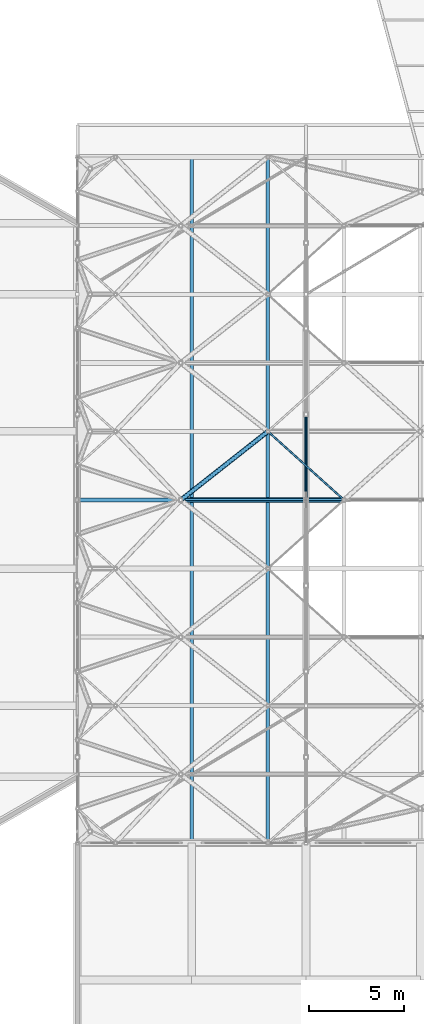
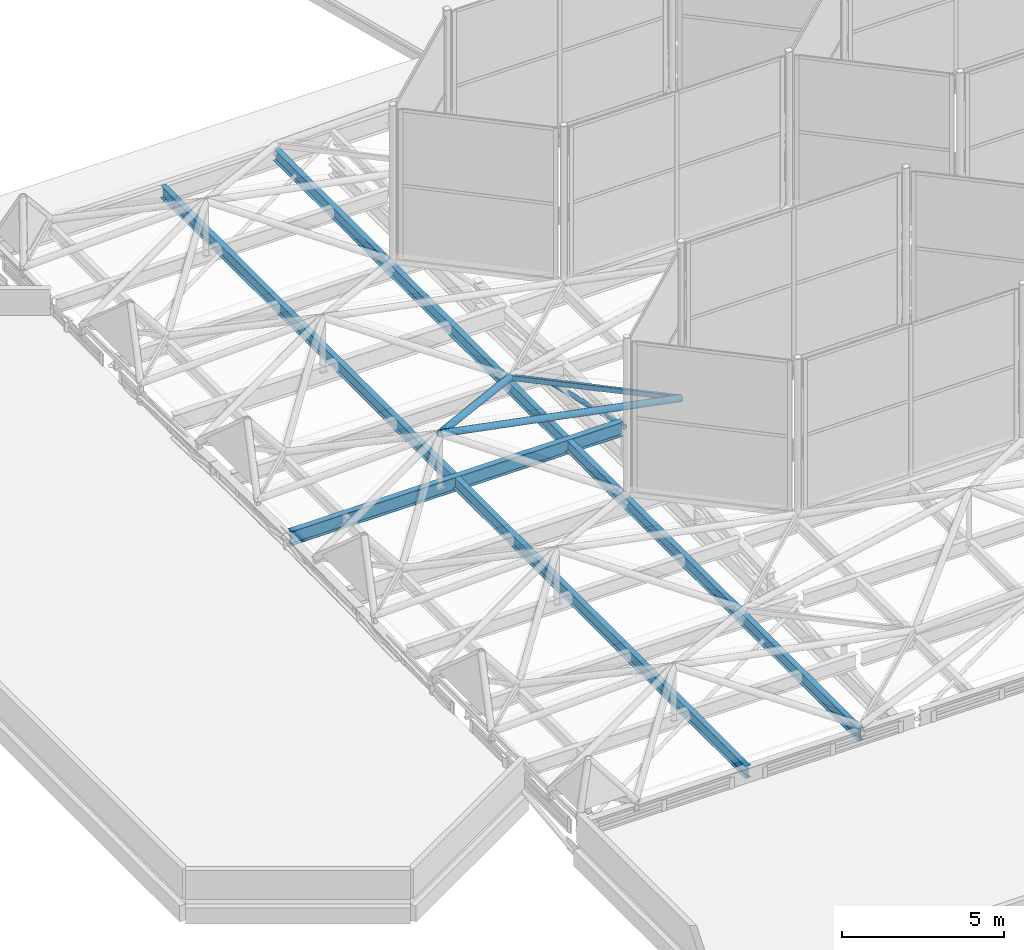
# One storey, part 57 of 239: 4 beams, 3 members.
"""IFC4 building model written with IfcOpenShell, lengths in metres."""

from ifc_helpers import new_model, si_unit, direction, frame, origin, origin_2d, place, context, subcontext, project, spatial, hollow_rectangle, hollow_circle, i_section, extrude, material, material_profile, profile_set, type_object, element, save


model = new_model("IFC4")

# Units and contexts
model_context = context("Model", 3, precision=1e-05, world=origin(), true_north=direction((0.0, 1.0)))
body_context = subcontext(model_context, "Body", "Model", "MODEL_VIEW")
ifc_project = project(units=[si_unit("LENGTHUNIT", "METRE"), si_unit("AREAUNIT", "SQUARE_METRE"), si_unit("VOLUMEUNIT", "CUBIC_METRE"), si_unit("PLANEANGLEUNIT", "RADIAN"), si_unit("MASSUNIT", "GRAM", prefix="KILO")], contexts=[model_context])

# Site, building, storey
site_placement = place(None, origin())
site = spatial("IfcSite", under=ifc_project, at=site_placement, CompositionType="ELEMENT")
building_placement = place(site_placement, origin())
building = spatial("IfcBuilding", under=site, at=building_placement, Name="Dunvalen Ferry Terminal", CompositionType="ELEMENT")
storey_placement = place(building_placement, frame((0.0, 0.0, 9.840087890625)))
storey = spatial("IfcBuildingStorey", under=building, at=storey_placement, Name="L02", CompositionType="ELEMENT", Elevation=9.840087890625)

# Beams
ifc_material = material(Name="Steel S355", Category="steel")
ifc_material_profile_1 = material_profile(ifc_material, hollow_rectangle(XDim=0.10009765625, YDim=0.199951171875, WallThickness=0.008056640625, InnerFilletRadius=0.008056640625, OuterFilletRadius=0.01611328125, at=origin_2d()), Name="Steel S355")
ifc_profile_set_1 = profile_set([ifc_material_profile_1], Name="Steel S355")
beam_type_1 = type_object("IfcBeamType", Name="STR-BM-RHS200", PredefinedType="BEAM", material=ifc_profile_set_1)
beam_1_placement = place(storey_placement, frame((26.0, 68.39990234375, 1.099853515625), z_axis=(-0.743285123004, 0.668974757313, 0.0), x_axis=(-0.668974757313, -0.743285123004, 0.0)))
element("IfcBeam", 1, at=beam_1_placement, inside=storey, type_object=beam_type_1, Name="HEX-09 Hexagonal Rim Beam 5", PredefinedType="BEAM", context=body_context, shape_type="SweptSolid", body=[
    extrude(hollow_rectangle(XDim=0.10009765625, YDim=0.199951171875, WallThickness=0.008056640625, InnerFilletRadius=0.008056640625, OuterFilletRadius=0.01611328125, at=origin_2d()), origin(), (0.0, 0.0, 1.0), 5.381591796875),
])
ifc_material_profile_2 = material_profile(ifc_material, i_section(OverallWidth=0.1904296875, OverallDepth=0.45703125, WebThickness=0.009033203125, FlangeThickness=0.014404296875, FilletRadius=0.01025390625, at=origin_2d()), Name="Steel S355")
ifc_profile_set_2 = profile_set([ifc_material_profile_2], Name="Steel S355")
beam_type_2 = type_object("IfcBeamType", Name="STR-BM-UKB457", PredefinedType="BEAM", material=ifc_profile_set_2)
for number, where, z_axis, x_axis, name in (
    (2, (18.0, 50.39990234375, 0.771484375), (0.0, 1.0, 0.0), (-1.0, 0.0, 0.0), "Departure Hall Hex-Grid Cross Beam B1.2"),
    (3, (22.0, 50.39990234375, 0.771484375), (0.0, 1.0, 0.0), (-1.0, 0.0, 0.0), "Departure Hall Hex-Grid Cross Beam B1.3"),
):
    element("IfcBeam", number, at=place(storey_placement, frame(where, z_axis=z_axis, x_axis=x_axis)), inside=storey, type_object=beam_type_2, Name=name, PredefinedType="BEAM", context=body_context, shape_type="SweptSolid", body=[
        extrude(i_section(OverallWidth=0.1904296875, OverallDepth=0.45703125, WebThickness=0.009033203125, FlangeThickness=0.014404296875, FilletRadius=0.01025390625, at=origin_2d()), origin(), (0.0, 0.0, 1.0), 36.0),
    ])
ifc_material_profile_3 = material_profile(ifc_material, i_section(OverallWidth=0.209228515625, OverallDepth=0.533203125, WebThickness=0.010009765625, FlangeThickness=0.015625, FilletRadius=0.0126953125, at=origin_2d()), Name="Steel S355")
ifc_profile_set_3 = profile_set([ifc_material_profile_3], Name="Steel S355")
beam_type_3 = type_object("IfcBeamType", Name="STR-BM-UKB533", PredefinedType="BEAM", material=ifc_profile_set_3)
beam_2_placement = place(storey_placement, frame((12.10009765625, 68.39990234375, 0.7333984375), z_axis=(1.0, 0.0, 0.0), x_axis=(0.0, 1.0, 0.0)))
element("IfcBeam", 4, at=beam_2_placement, inside=storey, type_object=beam_type_3, Name="Departure Hall Spine Girder B1.06", PredefinedType="BEAM", context=body_context, shape_type="SweptSolid", body=[
    extrude(i_section(OverallWidth=0.209228515625, OverallDepth=0.533203125, WebThickness=0.010009765625, FlangeThickness=0.015625, FilletRadius=0.0126953125, at=origin_2d()), origin(), (0.0, 0.0, 1.0), 11.7998046875),
])

# Members
ifc_material_profile_4 = material_profile(ifc_material, hollow_circle(Radius=0.084228515625, WallThickness=0.008056640625, at=origin_2d()), Name="Steel S355")
ifc_profile_set_4 = profile_set([ifc_material_profile_4], Name="Steel S355")
member_type_1 = type_object("IfcMemberType", Name="STR-MB-CHS168", PredefinedType="BRACE", material=ifc_profile_set_4)
member_1_placement = place(storey_placement, frame((24.0, 68.39990234375, 0.719970703125), z_axis=(0.0, 0.972383470914, -0.233388914677), x_axis=(-1.0, 0.0, 0.0)))
element("IfcMember", 5, at=member_1_placement, inside=storey, type_object=member_type_1, Name="Departure Hall Arch Web Diagonal 02.5", PredefinedType="BRACE", context=body_context, shape_type="SweptSolid", body=[
    extrude(hollow_circle(Radius=0.084228515625, WallThickness=0.008056640625, at=origin_2d()), origin(), (0.0, 0.0, 1.0), 4.627685546875),
])
ifc_material_profile_5 = material_profile(ifc_material, hollow_circle(Radius=0.122314453125, WallThickness=0.010009765625, at=origin_2d()), Name="Steel S355")
ifc_profile_set_5 = profile_set([ifc_material_profile_5], Name="Steel S355")
member_type_2 = type_object("IfcMemberType", Name="STR-MB-CHS244", PredefinedType="STRUT", material=ifc_profile_set_5)
member_2_placement = place(storey_placement, frame((26.0, 68.39990234375, 1.099853515625), z_axis=(-0.981649716778, 0.0, 0.190693034876), x_axis=(0.0, -1.0, 0.0)))
element("IfcMember", 6, at=member_2_placement, inside=storey, type_object=member_type_2, Name="HEX-09 Pyramid Hip Rafter 5", PredefinedType="STRUT", context=body_context, shape_type="SweptSolid", body=[
    extrude(hollow_circle(Radius=0.122314453125, WallThickness=0.010009765625, at=origin_2d()), origin(), (0.0, 0.0, 1.0), 8.7314453125),
])
member_3_placement = place(storey_placement, frame((22.0, 72.0, 1.099853515625), z_axis=(-0.755303948682, -0.594836147579, 0.275110709785), x_axis=(0.61871061037, -0.785618979287, 0.0)))
element("IfcMember", 7, at=member_3_placement, inside=storey, type_object=member_type_2, Name="HEX-09 Pyramid Hip Rafter 6", PredefinedType="STRUT", context=body_context, shape_type="SweptSolid", body=[
    extrude(hollow_circle(Radius=0.122314453125, WallThickness=0.010009765625, at=origin_2d()), origin(), (0.0, 0.0, 1.0), 6.05224609375),
])

save(model, "model.ifc")
